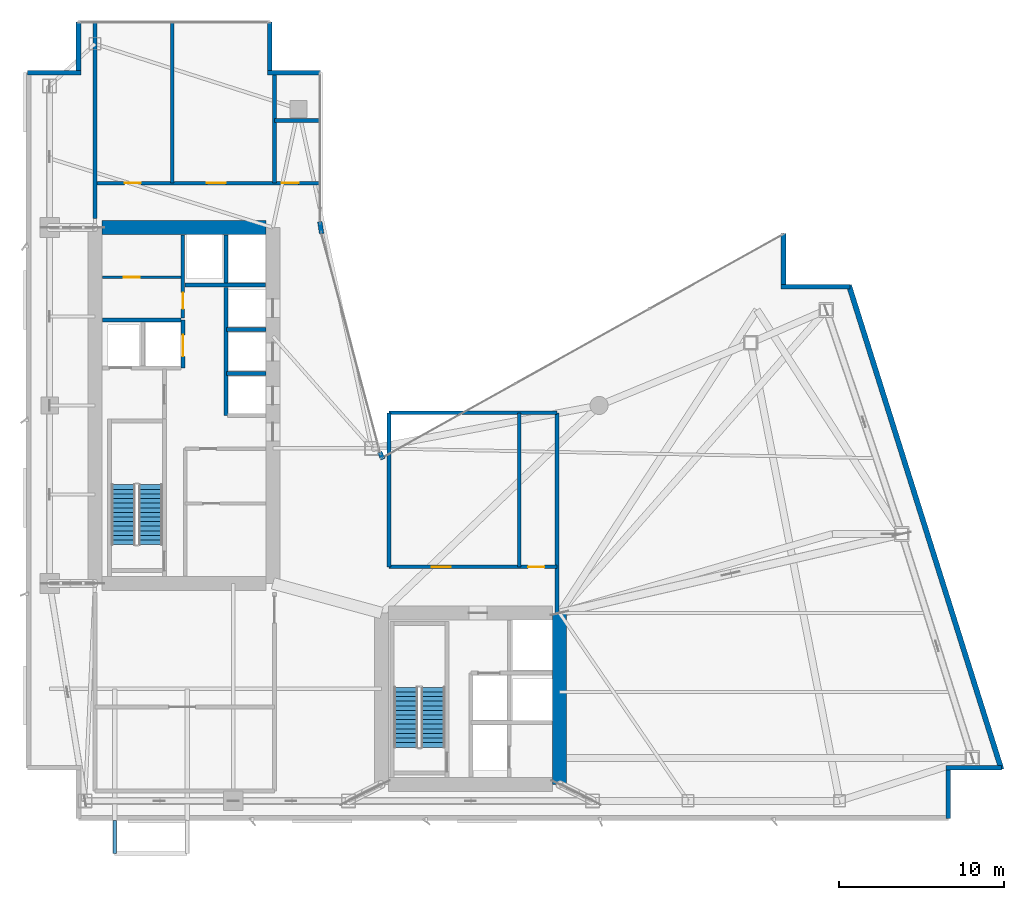
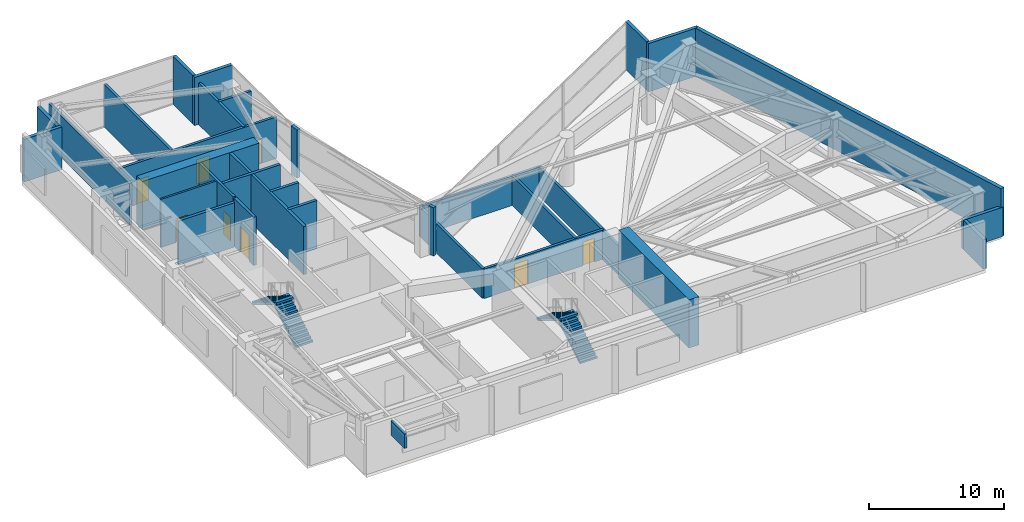
# One storey, part 14 of 17: 32 walls, 8 doors, 4 stair flights, 1 discrete accessory, 8 openings, 2 elements without a shape of their own.
"""IFC4 building model written with IfcOpenShell, lengths in metres."""

from ifc_helpers import new_model, si_unit, direction, frame, frame_2d, origin, origin_2d, place, context, subcontext, project, spatial, polyline, rectangle, outline, extrude, material, layer, layer_set, type_object, element, fill, aggregate, save


model = new_model("IFC4")

# Units and contexts
model_context = context("Model", 3, precision=1e-05, world=origin(), true_north=direction((0.0, 1.0)))
body_context = subcontext(model_context, "Body", "Model", "MODEL_VIEW")
ifc_project = project(units=[si_unit("LENGTHUNIT", "METRE"), si_unit("AREAUNIT", "SQUARE_METRE"), si_unit("VOLUMEUNIT", "CUBIC_METRE"), si_unit("PLANEANGLEUNIT", "RADIAN"), si_unit("MASSUNIT", "GRAM", prefix="KILO")], contexts=[model_context])

# Site, building, storey
site_placement = place(None, origin())
site = spatial("IfcSite", under=ifc_project, at=site_placement, CompositionType="ELEMENT")
building_placement = place(site_placement, origin())
building = spatial("IfcBuilding", under=site, at=building_placement, Name="Calvorn Quay Hotel", CompositionType="ELEMENT")
storey_placement = place(building_placement, frame((0.0, 0.0, 186.5)))
storey = spatial("IfcBuildingStorey", under=building, at=storey_placement, Name="L46", CompositionType="ELEMENT", Elevation=186.5)

# Walls
ifc_material_1 = material(Name="Concrete C50", Category="concrete")
ifc_layer_1 = layer(ifc_material_1, 0.85009765625)
ifc_layer_set_1 = layer_set([ifc_layer_1], Name="WL-CORE-850")
wall_type_1 = type_object("IfcWallType", Name="WL-CORE-850", PredefinedType="SHEAR", material=ifc_layer_set_1)
wall_1_placement = place(storey_placement, frame((4.625, 38.39990234375, 0.0), z_axis=(0.0, 0.0, 1.0), x_axis=(1.0, 0.0, 0.0)))
element("IfcWall", 1, at=wall_1_placement, inside=storey, type_object=wall_type_1, Name="West Core Shear Wall N (L46)", PredefinedType="SHEAR", context=body_context, shape_type="SweptSolid", body=[
    extrude(rectangle(XDim=9.949951171875, YDim=0.85009765625, at=frame_2d((4.97509765625, 0.0))), origin(), (0.0, 0.0, 1.0), 4.35009765625),
])
wall_2_placement = place(storey_placement, frame((32.39990234375, 4.60009765625, 0.0), z_axis=(0.0, 0.0, 1.0), x_axis=(0.0, 1.0, 0.0)))
element("IfcWall", 2, at=wall_2_placement, inside=storey, type_object=wall_type_1, Name="East Core Shear Wall E (L46)", PredefinedType="SHEAR", context=body_context, shape_type="SweptSolid", body=[
    extrude(rectangle(XDim=10.39990234375, YDim=0.85009765625, at=frame_2d((5.199951171875, 0.0))), origin(), (0.0, 0.0, 1.0), 4.35009765625),
])
ifc_material_2 = material(Name="Concrete C40", Category="concrete")
ifc_layer_2 = layer(ifc_material_2, 0.320068359375)
ifc_layer_set_2 = layer_set([ifc_layer_2], Name="WL-EXT-SPANDREL-320")
wall_type_2 = type_object("IfcWallType", Name="WL-EXT-SPANDREL-320", PredefinedType="SOLIDWALL", material=ifc_layer_set_2)
wall_3_placement = place(storey_placement, frame((21.679931640625, 24.340087890625, 0.0), z_axis=(0.0, 0.0, 1.0), x_axis=(-0.40758134973, 0.913168901875, 0.0)))
element("IfcWall", 3, at=wall_3_placement, inside=storey, type_object=wall_type_2, Name="Inner Court Corner Pier L46-ICJ1", PredefinedType="SOLIDWALL", context=body_context, shape_type="SweptSolid", body=[
    extrude(rectangle(XDim=0.470703125, YDim=0.280029296875, at=frame_2d((0.2353515625, 0.0))), origin(), (0.0, 0.0, 1.0), 4.35009765625),
])
wall_4_placement = place(storey_placement, frame((17.9619140625, 38.030029296875, 0.0), z_axis=(0.0, 0.0, 1.0), x_axis=(-0.15141125477, 0.988470855377, 0.0)))
element("IfcWall", 4, at=wall_4_placement, inside=storey, type_object=wall_type_2, Name="Inner Court Corner Pier L46-ICJ2", PredefinedType="SOLIDWALL", context=body_context, shape_type="SweptSolid", body=[
    extrude(rectangle(XDim=0.738525390625, YDim=0.280029296875, at=frame_2d((0.369140625, 0.0))), origin(), (0.0, 0.0, 1.0), 4.35009765625),
])
wall_5_placement = place(storey_placement, frame((56.0, 2.52001953125, 0.0), z_axis=(0.0, 0.0, 1.0), x_axis=(0.0, 1.0, 0.0)))
element("IfcWall", 5, at=wall_5_placement, inside=storey, type_object=wall_type_2, Name="Notched Corner Spandrel L46-SE1", PredefinedType="SOLIDWALL", context=body_context, shape_type="SweptSolid", body=[
    extrude(rectangle(XDim=2.93994140625, YDim=0.280029296875, at=frame_2d((1.469970703125, 0.0))), origin(), (0.0, 0.0, 1.0), 2.64990234375),
])
wall_6_placement = place(storey_placement, frame((55.860107421875, 5.60009765625, 0.0), z_axis=(0.0, 0.0, 1.0), x_axis=(1.0, 0.0, 0.0)))
element("IfcWall", 6, at=wall_6_placement, inside=storey, type_object=wall_type_2, Name="Notched Corner Spandrel L46-SE2", PredefinedType="SOLIDWALL", context=body_context, shape_type="SweptSolid", body=[
    extrude(rectangle(XDim=3.3798828125, YDim=0.280029296875, at=frame_2d((1.68994140625, 0.0))), origin(), (0.0, 0.0, 1.0), 2.64990234375),
])
wall_7_placement = place(storey_placement, frame((50.0400390625, 34.800048828125, 0.0), z_axis=(0.0, 0.0, 1.0), x_axis=(-1.0, 0.0, 0.0)))
element("IfcWall", 7, at=wall_7_placement, inside=storey, type_object=wall_type_2, Name="Notched Corner Spandrel L46-NE1", PredefinedType="SOLIDWALL", context=body_context, shape_type="SweptSolid", body=[
    extrude(rectangle(XDim=4.179931640625, YDim=0.280029296875, at=frame_2d((2.08984375, 0.0))), origin(), (0.0, 0.0, 1.0), 4.35009765625),
])
wall_8_placement = place(storey_placement, frame((46.0, 34.93994140625, 0.0), z_axis=(0.0, 0.0, 1.0), x_axis=(0.0, 1.0, 0.0)))
element("IfcWall", 8, at=wall_8_placement, inside=storey, type_object=wall_type_2, Name="Notched Corner Spandrel L46-NE2", PredefinedType="SOLIDWALL", context=body_context, shape_type="SweptSolid", body=[
    extrude(rectangle(XDim=3.10009765625, YDim=0.280029296875, at=frame_2d((1.550048828125, 0.0))), origin(), (0.0, 0.0, 1.0), 4.35009765625),
])
wall_9_placement = place(storey_placement, frame((17.89990234375, 47.800048828125, 0.0), z_axis=(0.0, 0.0, 1.0), x_axis=(-1.0, 0.0, 0.0)))
element("IfcWall", 9, at=wall_9_placement, inside=storey, type_object=wall_type_2, Name="Notched Corner Spandrel L46-NWE1", PredefinedType="SOLIDWALL", context=body_context, shape_type="SweptSolid", body=[
    extrude(rectangle(XDim=3.239990234375, YDim=0.280029296875, at=frame_2d((1.6201171875, 0.0))), origin(), (0.0, 0.0, 1.0), 4.35009765625),
])
wall_10_placement = place(storey_placement, frame((14.800048828125, 47.93994140625, 0.0), z_axis=(0.0, 0.0, 1.0), x_axis=(0.0, 1.0, 0.0)))
element("IfcWall", 10, at=wall_10_placement, inside=storey, type_object=wall_type_2, Name="Notched Corner Spandrel L46-NWE2", PredefinedType="SOLIDWALL", context=body_context, shape_type="SweptSolid", body=[
    extrude(rectangle(XDim=2.93994140625, YDim=0.280029296875, at=frame_2d((1.469970703125, 0.0))), origin(), (0.0, 0.0, 1.0), 4.35009765625),
])
wall_11_placement = place(storey_placement, frame((3.199951171875, 50.8798828125, 0.0), z_axis=(0.0, 0.0, 1.0), x_axis=(0.0, -1.0, 0.0)))
element("IfcWall", 11, at=wall_11_placement, inside=storey, type_object=wall_type_2, Name="Notched Corner Spandrel L46-NW1", PredefinedType="SOLIDWALL", context=body_context, shape_type="SweptSolid", body=[
    extrude(rectangle(XDim=2.93994140625, YDim=0.280029296875, at=frame_2d((1.469970703125, 0.0))), origin(), (0.0, 0.0, 1.0), 3.85009765625),
])
wall_12_placement = place(storey_placement, frame((3.340087890625, 47.800048828125, 0.0), z_axis=(0.0, 0.0, 1.0), x_axis=(-1.0, 0.0, 0.0)))
element("IfcWall", 12, at=wall_12_placement, inside=storey, type_object=wall_type_2, Name="Notched Corner Spandrel L46-NW2", PredefinedType="SOLIDWALL", context=body_context, shape_type="SweptSolid", body=[
    extrude(rectangle(XDim=3.219970703125, YDim=0.280029296875, at=frame_2d((1.60986328125, 0.0))), origin(), (0.0, 0.0, 1.0), 3.85009765625),
])
wall_13_placement = place(storey_placement, frame((59.22998046875, 5.5048828125, 0.0), z_axis=(0.0, 0.0, 1.0), x_axis=(-0.300509063924, 0.953778958931, 0.0)))
element("IfcWall", 13, at=wall_13_placement, inside=storey, type_object=wall_type_2, Name="East Stepped Waterfront Exterior Wall (L46)", PredefinedType="SOLIDWALL", context=body_context, shape_type="SweptSolid", body=[
    extrude(rectangle(XDim=30.814453125, YDim=0.320068359375, at=frame_2d((15.4072265625, 0.0))), origin(), (0.0, 0.0, 1.0), 4.35009765625),
])

# Wall, opening, door
ifc_material_3 = material(Name="Double-Stud Acoustic Gypsum Partition")
ifc_layer_3 = layer(ifc_material_3, 0.159912109375)
ifc_layer_set_3 = layer_set([ifc_layer_3], Name="WL-INTERSUITE-160")
wall_type_3 = type_object("IfcWallType", Name="WL-INTERSUITE-160", PredefinedType="PARTITIONING", material=ifc_layer_set_3)
wall_14_placement = place(storey_placement, frame((4.64501953125, 35.3798828125, 0.0), z_axis=(0.0, 0.0, 1.0), x_axis=(1.0, 0.0, 0.0)))
wall_14 = element("IfcWall", 14, at=wall_14_placement, inside=storey, type_object=wall_type_3, Name="Partition Wall L46-WL-CWW-K-MID", PredefinedType="PARTITIONING", context=body_context, shape_type="SweptSolid", body=[
    extrude(rectangle(XDim=4.77490234375, YDim=0.159912109375, at=frame_2d((2.387451171875, 0.0))), origin(), (0.0, 0.0, 1.0), 4.35009765625),
])
opening_1_placement = place(wall_14_placement, frame((1.300048828125, 0.0, 0.0)))
opening_1 = element("IfcOpeningElement", 15, at=opening_1_placement, cuts=wall_14, Name="Opening D-L46-CK2", PredefinedType="OPENING", context=body_context, shape_type="SweptSolid", body=[
    extrude(rectangle(XDim=0.97998046875, YDim=2.14990234375, at=frame_2d((0.489990234375, 1.074951171875))), frame((0.0, 0.08984375, 0.0), z_axis=(0.0, -1.0, 0.0), x_axis=(1.0, 0.0, 0.0)), (0.0, 0.0, 1.0), 0.179931640625),
])
ifc_material_4 = material(Name="Painted Steel Housekeeping/Riser Fire Door", Category="steel")
door_type_1 = type_object("IfcDoorType", Name="DR-SERVICE-980", OperationType="NOTDEFINED", PredefinedType="DOOR", material=ifc_material_4)
door_1_placement = place(opening_1_placement, origin())
door_1 = element("IfcDoor", 16, at=door_1_placement, inside=storey, type_object=door_type_1, Name="Electrical Riser Door (L46)", OperationType="SINGLE_SWING_RIGHT", OverallHeight=2.14990234375, OverallWidth=0.97998046875, PredefinedType="DOOR", context=body_context, shape_type="SweptSolid", body=[
    extrude(rectangle(XDim=0.97998046875, YDim=2.14990234375, at=frame_2d((0.489990234375, 1.074951171875))), frame((0.0, 0.02490234375, 0.0), z_axis=(0.0, -1.0, 0.0), x_axis=(1.0, 0.0, 0.0)), (0.0, 0.0, 1.0), 0.050048828125),
])
fill(opening_1, door_1)

ifc_material_5 = material(Name="Autoclaved Aerated Masonry Block", Category="masonry")
ifc_layer_4 = layer(ifc_material_5, 0.219970703125)
ifc_layer_set_4 = layer_set([ifc_layer_4], Name="WL-LOBBY-FIRE-220")
wall_type_4 = type_object("IfcWallType", Name="WL-LOBBY-FIRE-220", PredefinedType="SOLIDWALL", material=ifc_layer_set_4)
wall_15_placement = place(storey_placement, frame((9.5400390625, 32.919921875, 0.0), z_axis=(0.0, 0.0, 1.0), x_axis=(0.0, 1.0, 0.0)))
wall_15 = element("IfcWall", 17, at=wall_15_placement, inside=storey, type_object=wall_type_4, Name="Partition Wall L46-WL-CWW-K-E", PredefinedType="SOLIDWALL", context=body_context, shape_type="SweptSolid", body=[
    extrude(rectangle(XDim=5.03515625, YDim=0.219970703125, at=frame_2d((2.517578125, 0.0))), origin(), (0.0, 0.0, 1.0), 4.35009765625),
])
opening_2_placement = place(wall_15_placement, frame((0.550048828125, 0.0, 0.0)))
opening_2 = element("IfcOpeningElement", 18, at=opening_2_placement, cuts=wall_15, Name="Opening D-L46-CK1", PredefinedType="OPENING", context=body_context, shape_type="SweptSolid", body=[
    extrude(rectangle(XDim=0.97998046875, YDim=2.14990234375, at=frame_2d((0.489990234375, 1.074951171875))), frame((0.0, 0.119873046875, 0.0), z_axis=(0.0, -1.0, 0.0), x_axis=(1.0, 0.0, 0.0)), (0.0, 0.0, 1.0), 0.239990234375),
])
door_2_placement = place(opening_2_placement, origin())
door_2 = element("IfcDoor", 19, at=door_2_placement, inside=storey, type_object=door_type_1, Name="Core Housekeeping Door (L46)", OperationType="SINGLE_SWING_LEFT", OverallHeight=2.14990234375, OverallWidth=0.97998046875, PredefinedType="DOOR", context=body_context, shape_type="SweptSolid", body=[
    extrude(rectangle(XDim=0.97998046875, YDim=2.14990234375, at=frame_2d((0.489990234375, 1.074951171875))), frame((0.0, 0.02490234375, 0.0), z_axis=(0.0, -1.0, 0.0), x_axis=(1.0, 0.0, 0.0)), (0.0, 0.0, 1.0), 0.050048828125),
])
fill(opening_2, door_2)

# Walls
wall_16_placement = place(storey_placement, frame((4.199951171875, 38.949951171875, 0.0), z_axis=(0.0, 0.0, 1.0), x_axis=(0.0, 1.0, 0.0)))
element("IfcWall", 20, at=wall_16_placement, inside=storey, type_object=wall_type_4, Name="Partition Wall L46-WL-RF-BELT-NW", PredefinedType="SOLIDWALL", context=body_context, shape_type="SweptSolid", body=[
    extrude(rectangle(XDim=11.989990234375, YDim=0.219970703125, at=frame_2d((5.9951171875, 0.0))), origin(), (0.0, 0.0, 1.0), 3.75),
])
wall_17_placement = place(storey_placement, frame((8.89990234375, 41.10009765625, 0.0), z_axis=(0.0, 0.0, 1.0), x_axis=(0.0, 1.0, 0.0)))
element("IfcWall", 21, at=wall_17_placement, inside=storey, type_object=wall_type_4, Name="Partition Wall L46-WL-RF-EL-E", PredefinedType="SOLIDWALL", context=body_context, shape_type="SweptSolid", body=[
    extrude(rectangle(XDim=9.83984375, YDim=0.219970703125, at=frame_2d((4.919921875, 0.0))), origin(), (0.0, 0.0, 1.0), 3.85009765625),
])

# Wall, openings, doors
wall_18_placement = place(storey_placement, frame((4.199951171875, 41.10009765625, 0.0), z_axis=(0.0, 0.0, 1.0), x_axis=(1.0, 0.0, 0.0)))
wall_18 = element("IfcWall", 22, at=wall_18_placement, inside=storey, type_object=wall_type_4, Name="Partition Wall L46-WL-RF-N-S", PredefinedType="SOLIDWALL", context=body_context, shape_type="SweptSolid", body=[
    extrude(rectangle(XDim=13.650146484375, YDim=0.219970703125, at=frame_2d((6.8251953125, 0.0))), origin(), (0.0, 0.0, 1.0), 3.75),
])
opening_3_placement = place(wall_18_placement, frame((1.800048828125, 0.0, 0.0)))
opening_3 = element("IfcOpeningElement", 23, at=opening_3_placement, cuts=wall_18, Name="Opening D-L46-P3", PredefinedType="OPENING", context=body_context, shape_type="SweptSolid", body=[
    extrude(rectangle(XDim=0.97998046875, YDim=2.14990234375, at=frame_2d((0.489990234375, 1.074951171875))), frame((0.0, 0.119873046875, 0.0), z_axis=(0.0, -1.0, 0.0), x_axis=(1.0, 0.0, 0.0)), (0.0, 0.0, 1.0), 0.239990234375),
])
opening_4_placement = place(wall_18_placement, frame((6.800048828125, 0.0, 0.0)))
opening_4 = element("IfcOpeningElement", 24, at=opening_4_placement, cuts=wall_18, Name="Opening D-L46-RF1", PredefinedType="OPENING", context=body_context, shape_type="SweptSolid", body=[
    extrude(rectangle(XDim=1.14990234375, YDim=2.199951171875, at=frame_2d((0.574951171875, 1.10009765625))), frame((0.0, 0.119873046875, 0.0), z_axis=(0.0, -1.0, 0.0), x_axis=(1.0, 0.0, 0.0)), (0.0, 0.0, 1.0), 0.239990234375),
])
opening_5_placement = place(wall_18_placement, frame((11.35009765625, 0.0, 0.0)))
opening_5 = element("IfcOpeningElement", 25, at=opening_5_placement, cuts=wall_18, Name="Opening D-L46-RFW", PredefinedType="OPENING", context=body_context, shape_type="SweptSolid", body=[
    extrude(rectangle(XDim=1.02001953125, YDim=2.199951171875, at=frame_2d((0.510009765625, 1.10009765625))), frame((0.0, 0.119873046875, 0.0), z_axis=(0.0, -1.0, 0.0), x_axis=(1.0, 0.0, 0.0)), (0.0, 0.0, 1.0), 0.239990234375),
])
ifc_material_6 = material(Name="Solid-Core Walnut Veneer Hotel Fire Door")
door_type_2 = type_object("IfcDoorType", Name="DR-GUEST-ENTRY-1020", OperationType="NOTDEFINED", PredefinedType="DOOR", material=ifc_material_6)
door_3_placement = place(opening_5_placement, origin())
door_3 = element("IfcDoor", 26, at=door_3_placement, inside=storey, type_object=door_type_2, Name="Refuge Accessible WC Door", OperationType="SINGLE_SWING_RIGHT", OverallHeight=2.199951171875, OverallWidth=1.02001953125, PredefinedType="DOOR", context=body_context, shape_type="SweptSolid", body=[
    extrude(rectangle(XDim=1.02001953125, YDim=2.199951171875, at=frame_2d((0.510009765625, 1.10009765625))), frame((0.0, 0.02490234375, 0.0), z_axis=(0.0, -1.0, 0.0), x_axis=(1.0, 0.0, 0.0)), (0.0, 0.0, 1.0), 0.050048828125),
])
fill(opening_5, door_3)
door_4_placement = place(opening_3_placement, origin())
door_4 = element("IfcDoor", 27, at=door_4_placement, inside=storey, type_object=door_type_1, Name="Electrical Substation Door", OperationType="SINGLE_SWING_LEFT", OverallHeight=2.14990234375, OverallWidth=0.97998046875, PredefinedType="DOOR", context=body_context, shape_type="SweptSolid", body=[
    extrude(rectangle(XDim=0.97998046875, YDim=2.14990234375, at=frame_2d((0.489990234375, 1.074951171875))), frame((0.0, 0.02490234375, 0.0), z_axis=(0.0, -1.0, 0.0), x_axis=(1.0, 0.0, 0.0)), (0.0, 0.0, 1.0), 0.050048828125),
])
fill(opening_3, door_4)
ifc_material_7 = material(Name="Galvanised Steel Class A Fire Door", Category="steel")
door_type_3 = type_object("IfcDoorType", Name="DR-STAIR-SMOKE-1150", OperationType="NOTDEFINED", PredefinedType="DOOR", material=ifc_material_7)
door_5_placement = place(opening_4_placement, origin())
door_5 = element("IfcDoor", 28, at=door_5_placement, inside=storey, type_object=door_type_3, Name="North Refuge Area Fire Door", OperationType="SINGLE_SWING_LEFT", OverallHeight=2.199951171875, OverallWidth=1.14990234375, PredefinedType="DOOR", context=body_context, shape_type="SweptSolid", body=[
    extrude(rectangle(XDim=1.14990234375, YDim=2.199951171875, at=frame_2d((0.574951171875, 1.10009765625))), frame((0.0, 0.02490234375, 0.0), z_axis=(0.0, -1.0, 0.0), x_axis=(1.0, 0.0, 0.0)), (0.0, 0.0, 1.0), 0.050048828125),
])
fill(opening_4, door_5)

# Walls
wall_19_placement = place(storey_placement, frame((15.10009765625, 41.10009765625, 0.0), z_axis=(0.0, 0.0, 1.0), x_axis=(0.0, 1.0, 0.0)))
element("IfcWall", 29, at=wall_19_placement, inside=storey, type_object=wall_type_4, Name="Partition Wall L46-WL-RF-WC-W", PredefinedType="SOLIDWALL", context=body_context, shape_type="SweptSolid", body=[
    extrude(rectangle(XDim=6.699951171875, YDim=0.219970703125, at=frame_2d((3.35009765625, 0.0))), origin(), (0.0, 0.0, 1.0), 3.75),
])
wall_20_placement = place(storey_placement, frame((15.10009765625, 44.89990234375, 0.0), z_axis=(0.0, 0.0, 1.0), x_axis=(1.0, 0.0, 0.0)))
element("IfcWall", 30, at=wall_20_placement, inside=storey, type_object=wall_type_4, Name="Partition Wall L46-WL-RF-WC-N", PredefinedType="SOLIDWALL", context=body_context, shape_type="SweptSolid", body=[
    extrude(rectangle(XDim=2.75, YDim=0.219970703125, at=frame_2d((1.375, 0.0))), origin(), (0.0, 0.0, 1.0), 3.75),
])

# Wall, openings, doors
wall_21_placement = place(storey_placement, frame((22.050048828125, 17.800048828125, 0.0), z_axis=(0.0, 0.0, 1.0), x_axis=(1.0, 0.0, 0.0)))
wall_21 = element("IfcWall", 31, at=wall_21_placement, inside=storey, type_object=wall_type_4, Name="Partition Wall L46-WL-RF-C-S", PredefinedType="SOLIDWALL", context=body_context, shape_type="SweptSolid", body=[
    extrude(rectangle(XDim=10.199951171875, YDim=0.219970703125, at=frame_2d((5.10009765625, 0.0))), origin(), (0.0, 0.0, 1.0), 2.64990234375),
])
opening_6_placement = place(wall_21_placement, frame((2.60009765625, 0.0, 0.0)))
opening_6 = element("IfcOpeningElement", 32, at=opening_6_placement, cuts=wall_21, Name="Opening D-L46-RF2", PredefinedType="OPENING", context=body_context, shape_type="SweptSolid", body=[
    extrude(rectangle(XDim=1.14990234375, YDim=2.199951171875, at=frame_2d((0.574951171875, 1.10009765625))), frame((0.0, 0.119873046875, 0.0), z_axis=(0.0, -1.0, 0.0), x_axis=(1.0, 0.0, 0.0)), (0.0, 0.0, 1.0), 0.239990234375),
])
opening_7_placement = place(wall_21_placement, frame((8.449951171875, 0.0, 0.0)))
opening_7 = element("IfcOpeningElement", 33, at=opening_7_placement, cuts=wall_21, Name="Opening D-L46-P4", PredefinedType="OPENING", context=body_context, shape_type="SweptSolid", body=[
    extrude(rectangle(XDim=0.97998046875, YDim=2.14990234375, at=frame_2d((0.489990234375, 1.074951171875))), frame((0.0, 0.119873046875, 0.0), z_axis=(0.0, -1.0, 0.0), x_axis=(1.0, 0.0, 0.0)), (0.0, 0.0, 1.0), 0.239990234375),
])
door_6_placement = place(opening_7_placement, origin())
door_6 = element("IfcDoor", 34, at=door_6_placement, inside=storey, type_object=door_type_1, Name="Pressurization Fan Plant Door", OperationType="SINGLE_SWING_RIGHT", OverallHeight=2.14990234375, OverallWidth=0.97998046875, PredefinedType="DOOR", context=body_context, shape_type="SweptSolid", body=[
    extrude(rectangle(XDim=0.97998046875, YDim=2.14990234375, at=frame_2d((0.489990234375, 1.074951171875))), frame((0.0, 0.02490234375, 0.0), z_axis=(0.0, -1.0, 0.0), x_axis=(1.0, 0.0, 0.0)), (0.0, 0.0, 1.0), 0.050048828125),
])
fill(opening_7, door_6)
door_7_placement = place(opening_6_placement, origin())
door_7 = element("IfcDoor", 35, at=door_7_placement, inside=storey, type_object=door_type_3, Name="Harbour Refuge Area Fire Door", OperationType="SINGLE_SWING_LEFT", OverallHeight=2.199951171875, OverallWidth=1.14990234375, PredefinedType="DOOR", context=body_context, shape_type="SweptSolid", body=[
    extrude(rectangle(XDim=1.14990234375, YDim=2.199951171875, at=frame_2d((0.574951171875, 1.10009765625))), frame((0.0, 0.02490234375, 0.0), z_axis=(0.0, -1.0, 0.0), x_axis=(1.0, 0.0, 0.0)), (0.0, 0.0, 1.0), 0.050048828125),
])
fill(opening_6, door_7)

# Walls
for number, where, z_axis, x_axis, name in (
    (36, (29.949951171875, 17.800048828125, 0.0), (0.0, 0.0, 1.0), (0.0, 1.0, 0.0), "Partition Wall L46-WL-RF-C-DIV"),
    (37, (22.050048828125, 17.800048828125, 0.0), (0.0, 0.0, 1.0), (0.0, 1.0, 0.0), "Partition Wall L46-WL-RF-C-W"),
):
    element("IfcWall", number, at=place(storey_placement, frame(where, z_axis=z_axis, x_axis=x_axis)), inside=storey, type_object=wall_type_4, Name=name, PredefinedType="SOLIDWALL", context=body_context, shape_type="SweptSolid", body=[
        extrude(rectangle(XDim=9.349853515625, YDim=0.219970703125, at=frame_2d((4.6748046875, 0.0))), origin(), (0.0, 0.0, 1.0), 2.64990234375),
    ])
wall_22_placement = place(storey_placement, frame((32.25, 15.0, 0.0), z_axis=(0.0, 0.0, 1.0), x_axis=(0.0, 1.0, 0.0)))
element("IfcWall", 38, at=wall_22_placement, inside=storey, type_object=wall_type_4, Name="Partition Wall L46-WL-RF-C-E", PredefinedType="SOLIDWALL", context=body_context, shape_type="SweptSolid", body=[
    extrude(rectangle(XDim=12.14990234375, YDim=0.219970703125, at=frame_2d((6.074951171875, 0.0))), origin(), (0.0, 0.0, 1.0), 2.64990234375),
])
wall_23_placement = place(storey_placement, frame((22.050048828125, 27.14990234375, 0.0), z_axis=(0.0, 0.0, 1.0), x_axis=(1.0, 0.0, 0.0)))
element("IfcWall", 39, at=wall_23_placement, inside=storey, type_object=wall_type_4, Name="Partition Wall L46-WL-RF-C-N", PredefinedType="SOLIDWALL", context=body_context, shape_type="SweptSolid", body=[
    extrude(rectangle(XDim=10.199951171875, YDim=0.219970703125, at=frame_2d((5.10009765625, 0.0))), origin(), (0.0, 0.0, 1.0), 2.64990234375),
])
ifc_material_8 = material(Name="Concrete C40", Category="concrete")
ifc_layer_5 = layer(ifc_material_8, 0.239990234375)
ifc_layer_set_5 = layer_set([ifc_layer_5], Name="WL-SHAFT-240")
wall_type_5 = type_object("IfcWallType", Name="WL-SHAFT-240", PredefinedType="SOLIDWALL", material=ifc_layer_set_5)
for number, where, z_axis, x_axis, name in (
    (40, (12.179931640625, 29.550048828125, 0.0), (0.0, 0.0, 1.0), (1.0, 0.0, 0.0), "Lift Hoistway Divider Wall PLM12 (L46)"),
    (41, (12.179931640625, 32.199951171875, 0.0), (0.0, 0.0, 1.0), (1.0, 0.0, 0.0), "Lift Hoistway Divider Wall PLM23 (L46)"),
):
    element("IfcWall", number, at=place(storey_placement, frame(where, z_axis=z_axis, x_axis=x_axis)), inside=storey, type_object=wall_type_5, Name=name, PredefinedType="SOLIDWALL", context=body_context, shape_type="SweptSolid", body=[
        extrude(rectangle(XDim=2.39501953125, YDim=0.239990234375, at=frame_2d((1.197509765625, 0.0))), origin(), (0.0, 0.0, 1.0), 4.35009765625),
    ])

# Wall, opening, door
wall_24_placement = place(storey_placement, frame((9.5400390625, 29.8798828125, 0.0), z_axis=(0.0, 0.0, 1.0), x_axis=(0.0, 1.0, 0.0)))
wall_24 = element("IfcWall", 42, at=wall_24_placement, inside=storey, type_object=wall_type_5, Name="Partition Wall L46-WL-CWW-SLW-E", PredefinedType="SOLIDWALL", context=body_context, shape_type="SweptSolid", body=[
    extrude(rectangle(XDim=2.900146484375, YDim=0.239990234375, at=frame_2d((1.4501953125, 0.0))), origin(), (0.0, 0.0, 1.0), 4.35009765625),
])
opening_8_placement = place(wall_24_placement, frame((0.699951171875, 0.0, 0.0)))
opening_8 = element("IfcOpeningElement", 43, at=opening_8_placement, cuts=wall_24, Name="Opening LD-L46-SLW1", PredefinedType="OPENING", context=body_context, shape_type="SweptSolid", body=[
    extrude(rectangle(XDim=1.300048828125, YDim=2.35009765625, at=frame_2d((0.64990234375, 1.175048828125))), frame((0.0, 0.1298828125, 0.0), z_axis=(0.0, -1.0, 0.0), x_axis=(1.0, 0.0, 0.0)), (0.0, 0.0, 1.0), 0.260009765625),
])
ifc_material_9 = material(Name="Champagne-Bronze Sliding Express Lift Landing Door")
door_type_4 = type_object("IfcDoorType", Name="DR-LIFT-SHUTTLE-1300", OperationType="NOTDEFINED", PredefinedType="DOOR", material=ifc_material_9)
door_8_placement = place(opening_8_placement, origin())
door_8 = element("IfcDoor", 44, at=door_8_placement, inside=storey, type_object=door_type_4, Name="Service Lift SL-W1 Landing Door (L46)", OperationType="DOUBLE_DOOR_SLIDING", OverallHeight=2.35009765625, OverallWidth=1.300048828125, PredefinedType="DOOR", context=body_context, shape_type="SweptSolid", body=[
    extrude(rectangle(XDim=1.300048828125, YDim=2.35009765625, at=frame_2d((0.64990234375, 1.175048828125))), frame((0.0, 0.02490234375, 0.0), z_axis=(0.0, -1.0, 0.0), x_axis=(1.0, 0.0, 0.0)), (0.0, 0.0, 1.0), 0.050048828125),
])
fill(opening_8, door_8)

# Walls
wall_25_placement = place(storey_placement, frame((4.64501953125, 32.780029296875, 0.0), z_axis=(0.0, 0.0, 1.0), x_axis=(1.0, 0.0, 0.0)))
element("IfcWall", 45, at=wall_25_placement, inside=storey, type_object=wall_type_5, Name="Partition Wall L46-WL-CWW-SLW-N", PredefinedType="SOLIDWALL", context=body_context, shape_type="SweptSolid", body=[
    extrude(rectangle(XDim=4.77490234375, YDim=0.239990234375, at=frame_2d((2.387451171875, 0.0))), origin(), (0.0, 0.0, 1.0), 4.0),
])
wall_26_placement = place(storey_placement, frame((12.14990234375, 27.0, 0.0), z_axis=(0.0, 0.0, 1.0), x_axis=(0.0, 1.0, 0.0)))
element("IfcWall", 46, at=wall_26_placement, inside=storey, type_object=wall_type_5, Name="Partition Wall L46-WL-CWW-PLM-W", PredefinedType="SOLIDWALL", context=body_context, shape_type="SweptSolid", body=[
    extrude(rectangle(XDim=7.75, YDim=0.239990234375, at=frame_2d((3.875, 0.0))), origin(), (0.0, 0.0, 1.0), 4.35009765625),
])
wall_27_placement = place(storey_placement, frame((9.659912109375, 34.89990234375, 0.0), z_axis=(0.0, 0.0, 1.0), x_axis=(1.0, 0.0, 0.0)))
element("IfcWall", 47, at=wall_27_placement, inside=storey, type_object=wall_type_5, Name="Partition Wall L46-WL-CWW-PLH-S", PredefinedType="SOLIDWALL", context=body_context, shape_type="SweptSolid", body=[
    extrude(rectangle(XDim=4.89501953125, YDim=0.239990234375, at=frame_2d((2.447509765625, 0.0))), origin(), (0.0, 0.0, 1.0), 4.35009765625),
])
wall_28_placement = place(storey_placement, frame((12.14990234375, 35.02001953125, 0.0), z_axis=(0.0, 0.0, 1.0), x_axis=(0.0, 1.0, 0.0)))
element("IfcWall", 48, at=wall_28_placement, inside=storey, type_object=wall_type_5, Name="Partition Wall L46-WL-CWW-PLH-DIV", PredefinedType="SOLIDWALL", context=body_context, shape_type="SweptSolid", body=[
    extrude(rectangle(XDim=2.93505859375, YDim=0.239990234375, at=frame_2d((1.467529296875, 0.0))), origin(), (0.0, 0.0, 1.0), 4.35009765625),
])

# Stair, stair flights
ifc_material_10 = material(Name="Concrete C40", Category="concrete")
stair_type = type_object("IfcStairType", Name="STR-CORE-DOGLEG", PredefinedType="HALF_TURN_STAIR", material=ifc_material_10)
stair_1_placement = place(storey_placement, origin())
stair_1 = element("IfcStair", 49, at=stair_1_placement, inside=storey, type_object=stair_type, Name="L46 ST-W", PredefinedType="HALF_TURN_STAIR")
ifc_material_11 = material(Name="Concrete C40", Category="concrete")
stair_flight_type = type_object("IfcStairFlightType", Name="FLT-CORE-1550", PredefinedType="STRAIGHT", material=ifc_material_11)
stair_flight_1_placement = place(storey_placement, frame((7.574951171875, 19.14990234375, 0.0), z_axis=(0.0, 0.0, 1.0), x_axis=(0.0, 1.0, 0.0)))
stair_flight_1 = element("IfcStairFlight", 50, at=stair_flight_1_placement, type_object=stair_flight_type, Name="ST-W flight 1", NumberOfRisers=14, NumberOfTreads=13, PredefinedType="STRAIGHT", RiserHeight=0.171428571, TreadLength=0.28, context=body_context, shape_type="SweptSolid", body=[
    extrude(outline(polyline([(0.0, 0.0), (0.0, 0.17138671875), (0.280029296875, 0.17138671875), (0.280029296875, 0.3427734375), (0.56005859375, 0.3427734375), (0.56005859375, 0.514404296875), (0.840087890625, 0.514404296875), (0.840087890625, 0.685791015625), (1.1201171875, 0.685791015625), (1.1201171875, 0.857177734375), (1.39990234375, 0.857177734375), (1.39990234375, 1.028564453125), (1.679931640625, 1.028564453125), (1.679931640625, 1.199951171875), (1.9599609375, 1.199951171875), (1.9599609375, 1.371337890625), (2.239990234375, 1.371337890625), (2.239990234375, 1.54296875), (2.52001953125, 1.54296875), (2.52001953125, 1.71435546875), (2.800048828125, 1.71435546875), (2.800048828125, 1.8857421875), (3.080078125, 1.8857421875), (3.080078125, 2.05712890625), (3.360107421875, 2.05712890625), (3.360107421875, 2.228515625), (3.639892578125, 2.228515625), (3.639892578125, 2.39990234375), (3.639892578125, 2.052734375), (0.287109375, 0.0), (0.0, 0.0)])), frame((0.0, 0.72509765625, 0.0), z_axis=(0.0, -1.0, 0.0), x_axis=(1.0, 0.0, 0.0)), (0.0, 0.0, 1.0), 1.449951171875),
])
stair_flight_2_placement = place(storey_placement, frame((5.925048828125, 22.7900390625, 2.39990234375), z_axis=(0.0, 0.0, 1.0), x_axis=(0.0, -1.0, 0.0)))
stair_flight_2 = element("IfcStairFlight", 51, at=stair_flight_2_placement, type_object=stair_flight_type, Name="ST-W flight 2", NumberOfRisers=14, NumberOfTreads=13, PredefinedType="STRAIGHT", RiserHeight=0.171428571, TreadLength=0.28, context=body_context, shape_type="SweptSolid", body=[
    extrude(outline(polyline([(0.0, 0.0), (0.0, 0.17138671875), (0.280029296875, 0.17138671875), (0.280029296875, 0.3427734375), (0.56005859375, 0.3427734375), (0.56005859375, 0.514404296875), (0.840087890625, 0.514404296875), (0.840087890625, 0.685791015625), (1.1201171875, 0.685791015625), (1.1201171875, 0.857177734375), (1.39990234375, 0.857177734375), (1.39990234375, 1.028564453125), (1.679931640625, 1.028564453125), (1.679931640625, 1.199951171875), (1.9599609375, 1.199951171875), (1.9599609375, 1.371337890625), (2.239990234375, 1.371337890625), (2.239990234375, 1.54296875), (2.52001953125, 1.54296875), (2.52001953125, 1.71435546875), (2.800048828125, 1.71435546875), (2.800048828125, 1.8857421875), (3.080078125, 1.8857421875), (3.080078125, 2.05712890625), (3.360107421875, 2.05712890625), (3.360107421875, 2.228515625), (3.639892578125, 2.228515625), (3.639892578125, 2.39990234375), (3.639892578125, 2.052734375), (0.287109375, 0.0), (0.0, 0.0)])), frame((0.0, 0.72509765625, 0.0), z_axis=(0.0, -1.0, 0.0), x_axis=(1.0, 0.0, 0.0)), (0.0, 0.0, 1.0), 1.449951171875),
])
aggregate(stair_1, [stair_flight_1, stair_flight_2])

stair_2_placement = place(storey_placement, origin())
stair_2 = element("IfcStair", 52, at=stair_2_placement, inside=storey, type_object=stair_type, Name="L46 ST-E", PredefinedType="HALF_TURN_STAIR")
stair_flight_3_placement = place(storey_placement, frame((24.72509765625, 6.85009765625, 0.0), z_axis=(0.0, 0.0, 1.0), x_axis=(0.0, 1.0, 0.0)))
stair_flight_3 = element("IfcStairFlight", 53, at=stair_flight_3_placement, type_object=stair_flight_type, Name="ST-E flight 1", NumberOfRisers=14, NumberOfTreads=13, PredefinedType="STRAIGHT", RiserHeight=0.171428571, TreadLength=0.28, context=body_context, shape_type="SweptSolid", body=[
    extrude(outline(polyline([(0.0, 0.0), (0.0, 0.17138671875), (0.280029296875, 0.17138671875), (0.280029296875, 0.3427734375), (0.56005859375, 0.3427734375), (0.56005859375, 0.514404296875), (0.840087890625, 0.514404296875), (0.840087890625, 0.685791015625), (1.1201171875, 0.685791015625), (1.1201171875, 0.857177734375), (1.39990234375, 0.857177734375), (1.39990234375, 1.028564453125), (1.679931640625, 1.028564453125), (1.679931640625, 1.199951171875), (1.9599609375, 1.199951171875), (1.9599609375, 1.371337890625), (2.239990234375, 1.371337890625), (2.239990234375, 1.54296875), (2.52001953125, 1.54296875), (2.52001953125, 1.71435546875), (2.800048828125, 1.71435546875), (2.800048828125, 1.8857421875), (3.080078125, 1.8857421875), (3.080078125, 2.05712890625), (3.360107421875, 2.05712890625), (3.360107421875, 2.228515625), (3.639892578125, 2.228515625), (3.639892578125, 2.39990234375), (3.639892578125, 2.052734375), (0.287109375, 0.0), (0.0, 0.0)])), frame((0.0, 0.72509765625, 0.0), z_axis=(0.0, -1.0, 0.0), x_axis=(1.0, 0.0, 0.0)), (0.0, 0.0, 1.0), 1.449951171875),
])
stair_flight_4_placement = place(storey_placement, frame((23.074951171875, 10.489990234375, 2.39990234375), z_axis=(0.0, 0.0, 1.0), x_axis=(0.0, -1.0, 0.0)))
stair_flight_4 = element("IfcStairFlight", 54, at=stair_flight_4_placement, type_object=stair_flight_type, Name="ST-E flight 2", NumberOfRisers=14, NumberOfTreads=13, PredefinedType="STRAIGHT", RiserHeight=0.171428571, TreadLength=0.28, context=body_context, shape_type="SweptSolid", body=[
    extrude(outline(polyline([(0.0, 0.0), (0.0, 0.17138671875), (0.280029296875, 0.17138671875), (0.280029296875, 0.3427734375), (0.56005859375, 0.3427734375), (0.56005859375, 0.514404296875), (0.840087890625, 0.514404296875), (0.840087890625, 0.685791015625), (1.1201171875, 0.685791015625), (1.1201171875, 0.857177734375), (1.39990234375, 0.857177734375), (1.39990234375, 1.028564453125), (1.679931640625, 1.028564453125), (1.679931640625, 1.199951171875), (1.9599609375, 1.199951171875), (1.9599609375, 1.371337890625), (2.239990234375, 1.371337890625), (2.239990234375, 1.54296875), (2.52001953125, 1.54296875), (2.52001953125, 1.71435546875), (2.800048828125, 1.71435546875), (2.800048828125, 1.8857421875), (3.080078125, 1.8857421875), (3.080078125, 2.05712890625), (3.360107421875, 2.05712890625), (3.360107421875, 2.228515625), (3.639892578125, 2.228515625), (3.639892578125, 2.39990234375), (3.639892578125, 2.052734375), (0.287109375, 0.0), (0.0, 0.0)])), frame((0.0, 0.72509765625, 0.0), z_axis=(0.0, -1.0, 0.0), x_axis=(1.0, 0.0, 0.0)), (0.0, 0.0, 1.0), 1.449951171875),
])
aggregate(stair_2, [stair_flight_3, stair_flight_4])

# Discrete accessory
ifc_material_12 = material(Name="Steel Q355B", Category="steel")
discrete_accessory_type = type_object("IfcDiscreteAccessoryType", Name="ACC-BALC-STRUT", PredefinedType="BRACKET", material=ifc_material_12)
discrete_accessory_placement = place(storey_placement, frame((5.39990234375, 1.405029296875, 2.8251953125), z_axis=(0.0, 0.0, 1.0), x_axis=(1.0, 0.0, 0.0)))
element("IfcDiscreteAccessory", 55, at=discrete_accessory_placement, inside=storey, type_object=discrete_accessory_type, Name="Exterior Balcony Steel Bracket L47-BALC-S-A", PredefinedType="BRACKET", context=body_context, shape_type="SweptSolid", body=[
    extrude(rectangle(XDim=0.219970703125, YDim=1.989990234375, at=origin_2d()), origin(), (0.0, 0.0, 1.0), 1.300048828125),
])

save(model, "model.ifc")
